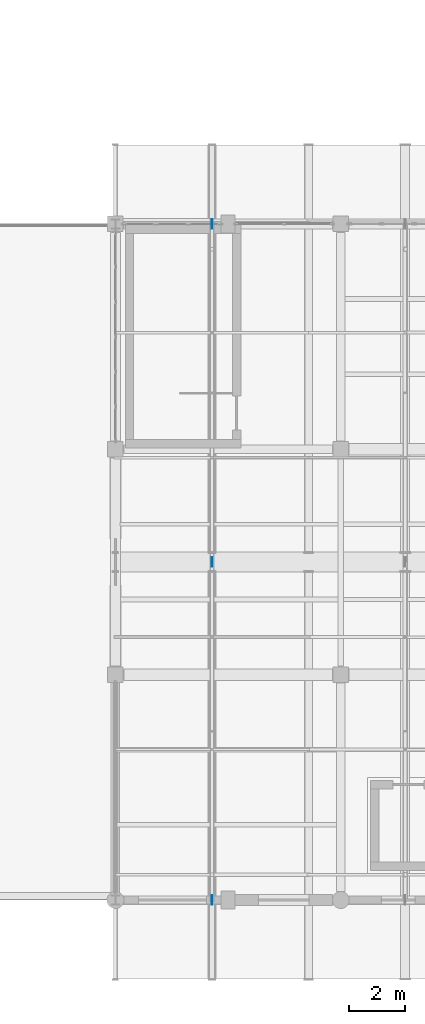
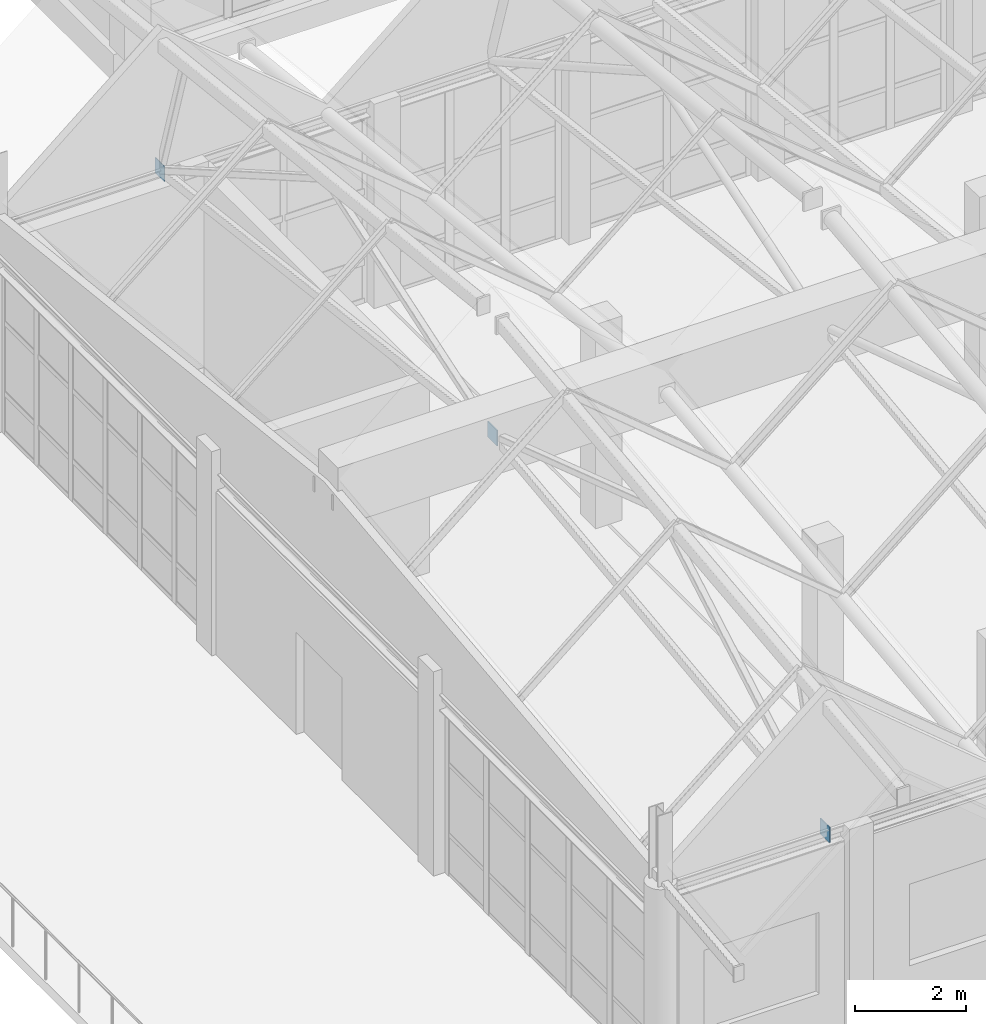
# One storey, part 131 of 183: 3 plates.
"""IFC4 building model written with IfcOpenShell, lengths in metres."""

from ifc_helpers import new_model, si_unit, direction, frame, origin, origin_2d, place, context, subcontext, project, spatial, rectangle, extrude, material, layer, layer_set, type_object, element, save


model = new_model("IFC4")

# Units and contexts
model_context = context("Model", 3, precision=1e-05, world=origin(), true_north=direction((0.0, 1.0)))
body_context = subcontext(model_context, "Body", "Model", "MODEL_VIEW")
ifc_project = project(units=[si_unit("LENGTHUNIT", "METRE"), si_unit("AREAUNIT", "SQUARE_METRE"), si_unit("VOLUMEUNIT", "CUBIC_METRE"), si_unit("PLANEANGLEUNIT", "RADIAN"), si_unit("MASSUNIT", "GRAM", prefix="KILO")], contexts=[model_context])

# Site, building, storey
site_placement = place(None, origin())
site = spatial("IfcSite", under=ifc_project, at=site_placement, CompositionType="ELEMENT")
building_placement = place(site_placement, origin())
building = spatial("IfcBuilding", under=site, at=building_placement, Name="Luwemba Playhouse", CompositionType="ELEMENT")
storey_placement = place(building_placement, frame((0.0, 0.0, 4.800048828125)))
storey = spatial("IfcBuildingStorey", under=building, at=storey_placement, Name="L01", CompositionType="ELEMENT", Elevation=4.800048828125)

# Plates
ifc_material = material(Name="Steel S355", Category="steel")
ifc_layer_1 = layer(ifc_material, 0.01611328125)
ifc_layer_set_1 = layer_set([ifc_layer_1], Name="Steel S355")
plate_type_1 = type_object("IfcPlateType", Name="PLT-GP1", PredefinedType="USERDEFINED", material=ifc_layer_set_1)
plate_1_placement = place(storey_placement, frame((127.4287109375, 27.0, 4.22998046875), z_axis=(0.0, 0.0, 1.0), x_axis=(1.0, 0.0, 0.0)))
element("IfcPlate", 1, at=plate_1_placement, inside=storey, type_object=plate_type_1, Name="Truss node gusset cap plate 0135", ObjectType="GUSSET PLATE", PredefinedType="USERDEFINED", context=body_context, shape_type="SweptSolid", body=[
    extrude(rectangle(XDim=0.01611328125, YDim=0.340087890625, at=origin_2d()), origin(), (0.0, 0.0, 1.0), 0.340087890625),
])
ifc_layer_2 = layer(ifc_material, 0.02001953125)
ifc_layer_set_2 = layer_set([ifc_layer_2], Name="Steel S355")
plate_type_2 = type_object("IfcPlateType", Name="PLT-GP2", PredefinedType="USERDEFINED", material=ifc_layer_set_2)
plate_2_placement = place(storey_placement, frame((127.4287109375, 3.0, 4.22998046875), z_axis=(0.0, 0.0, 1.0), x_axis=(1.0, 0.0, 0.0)))
element("IfcPlate", 2, at=plate_2_placement, inside=storey, type_object=plate_type_2, Name="Truss node gusset cap plate 0133", ObjectType="GUSSET PLATE", PredefinedType="USERDEFINED", context=body_context, shape_type="SweptSolid", body=[
    extrude(rectangle(XDim=0.02001953125, YDim=0.340087890625, at=origin_2d()), origin(), (0.0, 0.0, 1.0), 0.340087890625),
])
ifc_layer_3 = layer(ifc_material, 0.02490234375)
ifc_layer_set_3 = layer_set([ifc_layer_3], Name="Steel S355")
plate_type_3 = type_object("IfcPlateType", Name="PLT-GP3", PredefinedType="USERDEFINED", material=ifc_layer_set_3)
plate_3_placement = place(storey_placement, frame((127.4287109375, 15.0, 5.69384765625), z_axis=(0.0, 0.0, 1.0), x_axis=(1.0, 0.0, 0.0)))
element("IfcPlate", 3, at=plate_3_placement, inside=storey, type_object=plate_type_3, Name="Truss node gusset cap plate 0134", ObjectType="GUSSET PLATE", PredefinedType="USERDEFINED", context=body_context, shape_type="SweptSolid", body=[
    extrude(rectangle(XDim=0.02490234375, YDim=0.340087890625, at=origin_2d()), origin(), (0.0, 0.0, 1.0), 0.340087890625),
])

save(model, "model.ifc")
